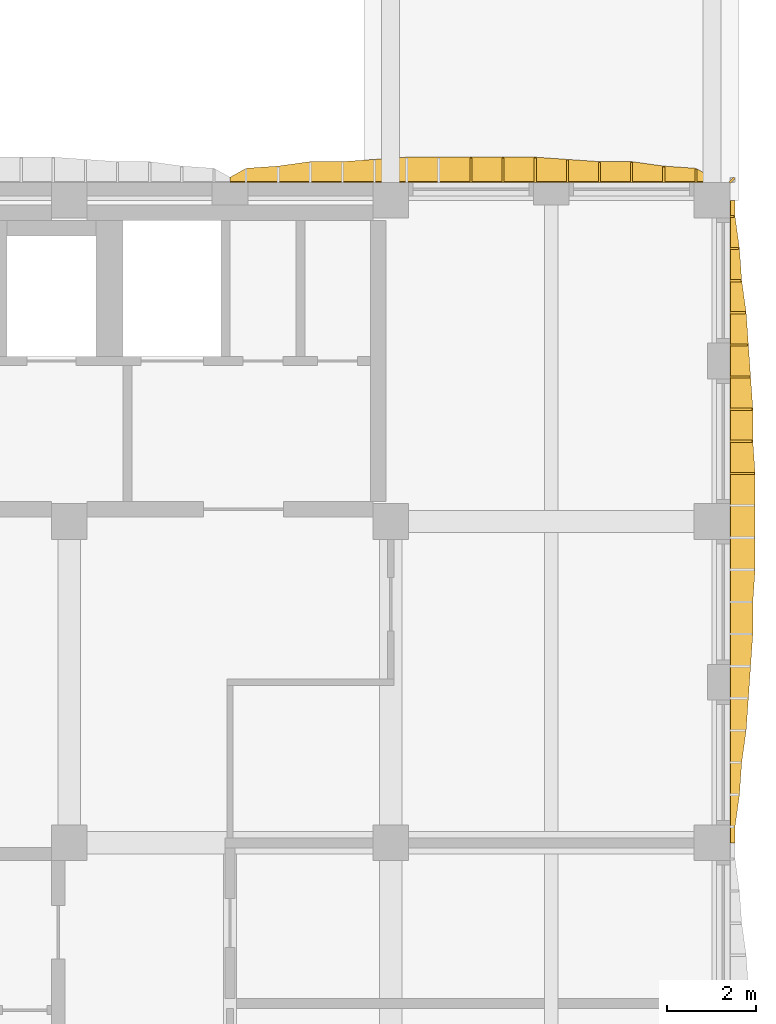
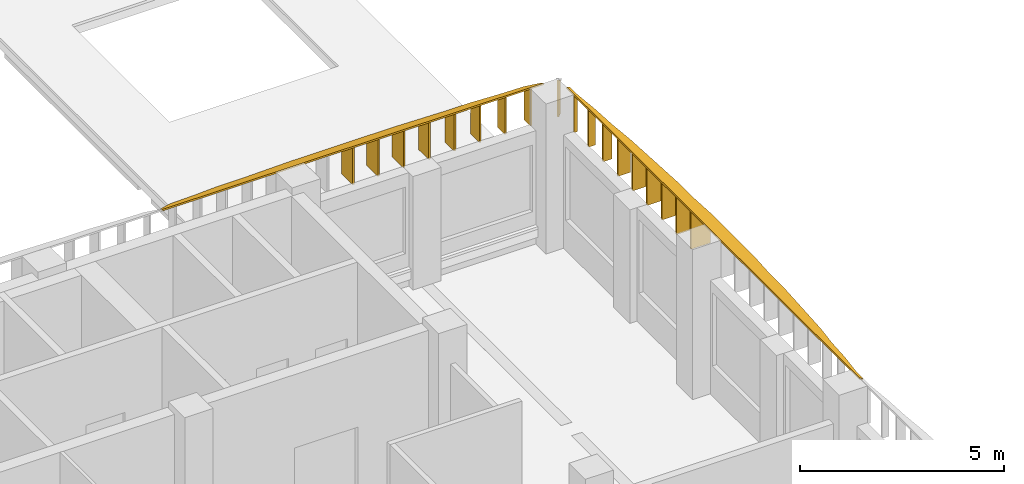
# One storey, part 42 of 59: 20 shading devices.
"""IFC4 building model written with IfcOpenShell, lengths in metres."""

from ifc_helpers import new_model, si_unit, direction, frame, origin, place, context, subcontext, project, spatial, polyline, outline, extrude, material, layer, layer_set, type_object, element, save


model = new_model("IFC4")

# Units and contexts
model_context = context("Model", 3, precision=1e-05, world=origin(), true_north=direction((0.0, 1.0)))
body_context = subcontext(model_context, "Body", "Model", "MODEL_VIEW")
ifc_project = project(units=[si_unit("LENGTHUNIT", "METRE"), si_unit("AREAUNIT", "SQUARE_METRE"), si_unit("VOLUMEUNIT", "CUBIC_METRE"), si_unit("PLANEANGLEUNIT", "RADIAN"), si_unit("MASSUNIT", "GRAM", prefix="KILO")], contexts=[model_context])

# Site, building, storey
site_placement = place(None, origin())
site = spatial("IfcSite", under=ifc_project, at=site_placement, CompositionType="ELEMENT")
building_placement = place(site_placement, origin())
building = spatial("IfcBuilding", under=site, at=building_placement, Name="Ussher Court Research Institute", CompositionType="ELEMENT")
storey_placement = place(building_placement, frame((0.0, 0.0, 5.39990234375)))
storey = spatial("IfcBuildingStorey", under=building, at=storey_placement, Name="L01", CompositionType="ELEMENT", Elevation=5.39990234375)

# Shading devices
ifc_material_1 = material(Name="Bronze anodised aluminium", Category="aluminium")
ifc_layer_1 = layer(ifc_material_1, 0.050048828125)
ifc_layer_set_1 = layer_set([ifc_layer_1], Name="Bronze anodised aluminium")
shading_device_type_1 = type_object("IfcShadingDeviceType", Name="Brim blade 100 mm deep 1100 mm high canted 26 deg wet", PredefinedType="USERDEFINED", material=ifc_layer_set_1)
shading_device_1_placement = place(storey_placement, frame((104.199951171875, 32.43994140625, 3.35009765625), z_axis=(0.0, 0.0, 1.0), x_axis=(1.0, 0.0, 0.0)))
element("IfcShadingDevice", 1, at=shading_device_1_placement, inside=storey, type_object=shading_device_type_1, Name="Brim blade BS10 L01", ObjectType="BLADE", PredefinedType="USERDEFINED", context=body_context, shape_type="SweptSolid", body=[
    extrude(outline(polyline([(0.0, 0.0), (0.10009765625, 0.0), (0.10009765625, 1.05126953125), (0.0, 1.10009765625), (0.0, 0.0)])), frame((0.0, 0.02490234375, 0.0), z_axis=(0.0, -1.0, 0.0), x_axis=(1.0, 0.0, 0.0)), (0.0, 0.0, 1.0), 0.050048828125),
])
ifc_material_2 = material(Name="Bronze anodised aluminium", Category="aluminium")
ifc_layer_2 = layer(ifc_material_2, 0.050048828125)
ifc_layer_set_2 = layer_set([ifc_layer_2], Name="Bronze anodised aluminium")
shading_device_type_2 = type_object("IfcShadingDeviceType", Name="Brim blade 200 mm deep 1100 mm high canted 26 deg wet", PredefinedType="USERDEFINED", material=ifc_layer_set_2)
shading_device_2_placement = place(storey_placement, frame((104.199951171875, 31.719970703125, 3.35009765625), z_axis=(0.0, 0.0, 1.0), x_axis=(1.0, 0.0, 0.0)))
element("IfcShadingDevice", 2, at=shading_device_2_placement, inside=storey, type_object=shading_device_type_2, Name="Brim blade BS08 L01", ObjectType="BLADE", PredefinedType="USERDEFINED", context=body_context, shape_type="SweptSolid", body=[
    extrude(outline(polyline([(0.0, 0.0), (0.199951171875, 0.0), (0.199951171875, 1.00244140625), (0.0, 1.10009765625), (0.0, 0.0)])), frame((0.0, 0.02490234375, 0.0), z_axis=(0.0, -1.0, 0.0), x_axis=(1.0, 0.0, 0.0)), (0.0, 0.0, 1.0), 0.050048828125),
])
ifc_material_3 = material(Name="Bronze anodised aluminium", Category="aluminium")
ifc_layer_3 = layer(ifc_material_3, 0.050048828125)
ifc_layer_set_3 = layer_set([ifc_layer_3], Name="Bronze anodised aluminium")
shading_device_type_3 = type_object("IfcShadingDeviceType", Name="Brim blade 250 mm deep 1100 mm high canted 26 deg wet", PredefinedType="USERDEFINED", material=ifc_layer_set_3)
shading_device_3_placement = place(storey_placement, frame((104.199951171875, 31.0, 3.35009765625), z_axis=(0.0, 0.0, 1.0), x_axis=(1.0, 0.0, 0.0)))
element("IfcShadingDevice", 3, at=shading_device_3_placement, inside=storey, type_object=shading_device_type_3, Name="Brim blade BS07 L01", ObjectType="BLADE", PredefinedType="USERDEFINED", context=body_context, shape_type="SweptSolid", body=[
    extrude(outline(polyline([(0.0, 0.0), (0.25, 0.0), (0.25, 0.97802734375), (0.0, 1.10009765625), (0.0, 0.0)])), frame((0.0, 0.02490234375, 0.0), z_axis=(0.0, -1.0, 0.0), x_axis=(1.0, 0.0, 0.0)), (0.0, 0.0, 1.0), 0.050048828125),
])
ifc_material_4 = material(Name="Bronze anodised aluminium", Category="aluminium")
ifc_layer_4 = layer(ifc_material_4, 0.050048828125)
ifc_layer_set_4 = layer_set([ifc_layer_4], Name="Bronze anodised aluminium")
shading_device_type_4 = type_object("IfcShadingDeviceType", Name="Brim blade 300 mm deep 1100 mm high canted 26 deg wet", PredefinedType="USERDEFINED", material=ifc_layer_set_4)
shading_device_4_placement = place(storey_placement, frame((103.43994140625, 33.199951171875, 3.35009765625), z_axis=(0.0, 0.0, 1.0), x_axis=(0.0, 1.0, 0.0)))
element("IfcShadingDevice", 4, at=shading_device_4_placement, inside=storey, type_object=shading_device_type_4, Name="Brim blade BS06 L01", ObjectType="BLADE", PredefinedType="USERDEFINED", context=body_context, shape_type="SweptSolid", body=[
    extrude(outline(polyline([(0.0, 0.0), (0.300048828125, 0.0), (0.300048828125, 0.95361328125), (0.0, 1.10009765625), (0.0, 0.0)])), frame((0.0, 0.02490234375, 0.0), z_axis=(0.0, -1.0, 0.0), x_axis=(1.0, 0.0, 0.0)), (0.0, 0.0, 1.0), 0.050048828125),
])
ifc_material_5 = material(Name="Bronze anodised aluminium", Category="aluminium")
ifc_layer_5 = layer(ifc_material_5, 0.050048828125)
ifc_layer_set_5 = layer_set([ifc_layer_5], Name="Bronze anodised aluminium")
shading_device_type_5 = type_object("IfcShadingDeviceType", Name="Brim blade 350 mm deep 1100 mm high canted 26 deg wet", PredefinedType="USERDEFINED", material=ifc_layer_set_5)
for number, where, z_axis, x_axis, name in (
    (5, (104.199951171875, 30.280029296875, 3.35009765625), (0.0, 0.0, 1.0), (1.0, 0.0, 0.0), "Brim blade BS05 L01"),
    (6, (102.719970703125, 33.199951171875, 3.35009765625), (0.0, 0.0, 1.0), (0.0, 1.0, 0.0), "Brim blade BS05 L01"),
):
    element("IfcShadingDevice", number, at=place(storey_placement, frame(where, z_axis=z_axis, x_axis=x_axis)), inside=storey, type_object=shading_device_type_5, Name=name, ObjectType="BLADE", PredefinedType="USERDEFINED", context=body_context, shape_type="SweptSolid", body=[
        extrude(outline(polyline([(0.0, 0.0), (0.35009765625, 0.0), (0.35009765625, 0.92919921875), (0.0, 1.10009765625), (0.0, 0.0)])), frame((0.0, 0.02490234375, 0.0), z_axis=(0.0, -1.0, 0.0), x_axis=(1.0, 0.0, 0.0)), (0.0, 0.0, 1.0), 0.050048828125),
    ])
ifc_material_6 = material(Name="Bronze anodised aluminium", Category="aluminium")
ifc_layer_6 = layer(ifc_material_6, 0.050048828125)
ifc_layer_set_6 = layer_set([ifc_layer_6], Name="Bronze anodised aluminium")
shading_device_type_6 = type_object("IfcShadingDeviceType", Name="Brim blade 400 mm deep 1100 mm high canted 26 deg wet", PredefinedType="USERDEFINED", material=ifc_layer_set_6)
shading_device_5_placement = place(storey_placement, frame((104.199951171875, 29.56005859375, 3.35009765625), z_axis=(0.0, 0.0, 1.0), x_axis=(1.0, 0.0, 0.0)))
element("IfcShadingDevice", 7, at=shading_device_5_placement, inside=storey, type_object=shading_device_type_6, Name="Brim blade BS04 L01", ObjectType="BLADE", PredefinedType="USERDEFINED", context=body_context, shape_type="SweptSolid", body=[
    extrude(outline(polyline([(0.0, 0.0), (0.400146484375, 0.0), (0.39990234375, 0.90478515625), (0.0, 1.10009765625), (0.0, 0.0)])), frame((0.0, 0.02490234375, 0.0), z_axis=(0.0, -1.0, 0.0), x_axis=(1.0, 0.0, 0.0)), (0.0, 0.0, 1.0), 0.050048828125),
])
ifc_material_7 = material(Name="Bronze anodised aluminium", Category="aluminium")
ifc_layer_7 = layer(ifc_material_7, 0.050048828125)
ifc_layer_set_7 = layer_set([ifc_layer_7], Name="Bronze anodised aluminium")
shading_device_type_7 = type_object("IfcShadingDeviceType", Name="Brim blade 450 mm deep 1100 mm high canted 26 deg wet", PredefinedType="USERDEFINED", material=ifc_layer_set_7)
for number, where, z_axis, x_axis, name in (
    (8, (104.199951171875, 28.840087890625, 3.35009765625), (0.0, 0.0, 1.0), (1.0, 0.0, 0.0), "Brim blade BS03 L01"),
    (9, (101.280029296875, 33.199951171875, 3.35009765625), (0.0, 0.0, 1.0), (0.0, 1.0, 0.0), "Brim blade BS03 L01"),
    (10, (102.0, 33.199951171875, 3.35009765625), (0.0, 0.0, 1.0), (0.0, 1.0, 0.0), "Brim blade BS03 L01"),
):
    element("IfcShadingDevice", number, at=place(storey_placement, frame(where, z_axis=z_axis, x_axis=x_axis)), inside=storey, type_object=shading_device_type_7, Name=name, ObjectType="BLADE", PredefinedType="USERDEFINED", context=body_context, shape_type="SweptSolid", body=[
        extrude(outline(polyline([(0.0, 0.0), (0.449951171875, 0.0), (0.449951171875, 0.880615234375), (0.0, 1.10009765625), (0.0, 0.0)])), frame((0.0, 0.02490234375, 0.0), z_axis=(0.0, -1.0, 0.0), x_axis=(1.0, 0.0, 0.0)), (0.0, 0.0, 1.0), 0.050048828125),
    ])
ifc_material_8 = material(Name="Bronze anodised aluminium", Category="aluminium")
ifc_layer_8 = layer(ifc_material_8, 0.050048828125)
ifc_layer_set_8 = layer_set([ifc_layer_8], Name="Bronze anodised aluminium")
shading_device_type_8 = type_object("IfcShadingDeviceType", Name="Brim blade 500 mm deep 1100 mm high canted 26 deg wet", PredefinedType="USERDEFINED", material=ifc_layer_set_8)
for number, where, z_axis, x_axis, name in (
    (11, (104.199951171875, 28.1201171875, 3.35009765625), (0.0, 0.0, 1.0), (1.0, 0.0, 0.0), "Brim blade BS02 L01"),
    (12, (104.199951171875, 27.39990234375, 3.35009765625), (0.0, 0.0, 1.0), (1.0, 0.0, 0.0), "Brim blade BS02 L01"),
    (13, (100.56005859375, 33.199951171875, 3.35009765625), (0.0, 0.0, 1.0), (0.0, 1.0, 0.0), "Brim blade BS02 L01"),
):
    element("IfcShadingDevice", number, at=place(storey_placement, frame(where, z_axis=z_axis, x_axis=x_axis)), inside=storey, type_object=shading_device_type_8, Name=name, ObjectType="BLADE", PredefinedType="USERDEFINED", context=body_context, shape_type="SweptSolid", body=[
        extrude(outline(polyline([(0.0, 0.0), (0.5, 0.0), (0.5, 0.856201171875), (0.0, 1.10009765625), (0.0, 0.0)])), frame((0.0, 0.02490234375, 0.0), z_axis=(0.0, -1.0, 0.0), x_axis=(1.0, 0.0, 0.0)), (0.0, 0.0, 1.0), 0.050048828125),
    ])
ifc_material_9 = material(Name="Bronze anodised aluminium", Category="aluminium")
ifc_layer_9 = layer(ifc_material_9, 0.050048828125)
ifc_layer_set_9 = layer_set([ifc_layer_9], Name="Bronze anodised aluminium")
shading_device_type_9 = type_object("IfcShadingDeviceType", Name="Brim blade 550 mm deep 1100 mm high canted 26 deg wet", PredefinedType="USERDEFINED", material=ifc_layer_set_9)
for number, where, z_axis, x_axis, name in (
    (14, (104.199951171875, 26.679931640625, 3.35009765625), (0.0, 0.0, 1.0), (1.0, 0.0, 0.0), "Brim blade BS01 L01"),
    (15, (98.39990234375, 33.199951171875, 3.35009765625), (0.0, 0.0, 1.0), (0.0, 1.0, 0.0), "Brim blade BS01 L01"),
    (16, (99.1201171875, 33.199951171875, 3.35009765625), (0.0, 0.0, 1.0), (0.0, 1.0, 0.0), "Brim blade BS01 L01"),
    (17, (99.840087890625, 33.199951171875, 3.35009765625), (0.0, 0.0, 1.0), (0.0, 1.0, 0.0), "Brim blade BS01 L01"),
):
    element("IfcShadingDevice", number, at=place(storey_placement, frame(where, z_axis=z_axis, x_axis=x_axis)), inside=storey, type_object=shading_device_type_9, Name=name, ObjectType="BLADE", PredefinedType="USERDEFINED", context=body_context, shape_type="SweptSolid", body=[
        extrude(outline(polyline([(0.0, 0.0), (0.550048828125, 0.0), (0.550048828125, 0.831787109375), (0.0, 1.10009765625), (0.0, 0.0)])), frame((0.0, 0.02490234375, 0.0), z_axis=(0.0, -1.0, 0.0), x_axis=(1.0, 0.0, 0.0)), (0.0, 0.0, 1.0), 0.050048828125),
    ])
ifc_material_10 = material(Name="Bronze anodised aluminium", Category="aluminium")
ifc_layer_10 = layer(ifc_material_10, 0.050048828125)
ifc_layer_set_10 = layer_set([ifc_layer_10], Name="Bronze anodised aluminium")
shading_device_type_10 = type_object("IfcShadingDeviceType", Name="Brim mitre blade 100 mm deep 1100 mm high canted 26 deg wet", PredefinedType="USERDEFINED", material=ifc_layer_set_10)
shading_device_6_placement = place(storey_placement, frame((104.199951171875, 33.199951171875, 3.35009765625), z_axis=(0.0, 0.0, 1.0), x_axis=(0.707106781187, 0.707106781187, 0.0)))
element("IfcShadingDevice", 18, at=shading_device_6_placement, inside=storey, type_object=shading_device_type_10, Name="Brim mitre blade BS18 L01", ObjectType="BLADE", PredefinedType="USERDEFINED", context=body_context, shape_type="SweptSolid", body=[
    extrude(outline(polyline([(0.0, 0.0), (0.1416015625, 0.0), (0.141357421875, 1.00244140625), (0.0, 1.10009765625), (0.0, 0.0)])), frame((0.0, 0.02490234375, 0.0), z_axis=(0.0, -1.0, 0.0), x_axis=(1.0, 0.0, 0.0)), (0.0, 0.0, 1.0), 0.050048828125),
])
ifc_material_11 = material(Name="Bronze anodised aluminium", Category="aluminium")
ifc_layer_11 = layer(ifc_material_11, 0.0400390625)
ifc_layer_set_11 = layer_set([ifc_layer_11], Name="Bronze anodised aluminium")
shading_device_type_11 = type_object("IfcShadingDeviceType", Name="Brim visor sheet 40 mm canted 26 deg wet", PredefinedType="USERDEFINED", material=ifc_layer_set_11)
shading_device_7_placement = place(storey_placement, frame((104.217529296875, 32.800048828125, 4.486083984375), z_axis=(0.438529184396, 0.0, 0.898716949007), x_axis=(0.0, -1.0, 0.0)))
element("IfcShadingDevice", 19, at=shading_device_7_placement, inside=storey, type_object=shading_device_type_11, Name="Brim visor sheet BR1 L01", ObjectType="BRIM", PredefinedType="USERDEFINED", context=body_context, shape_type="SweptSolid", body=[
    extrude(outline(polyline([(0.0, 0.0), (14.400146484375, 0.0), (14.400146484375, 0.11115260474198813), (14.0400390625, 0.11115260474198813), (13.320068359375, 0.22252462280160495), (12.60009765625, 0.27821063183141337), (11.880126953125, 0.3893632365734015), (11.16015625, 0.4449421828140506), (10.43994140625, 0.5006281918438591), (9.719970703125, 0.5563142008736675), (9.0, 0.5563142008736675), (8.280029296875, 0.6120002099034759), (7.56005859375, 0.6120002099034759), (6.840087890625, 0.6120002099034759), (6.1201171875, 0.6120002099034759), (5.400146484375, 0.5563142008736675), (4.679931640625, 0.5563142008736675), (3.9599609375, 0.5006281918438591), (3.239990234375, 0.4449421828140506), (2.52001953125, 0.3893632365734015), (1.800048828125, 0.27821063183141337), (1.080078125, 0.22252462280160495), (0.360107421875, 0.11115260474198813), (0.0, 0.11115260474198813), (0.0, 0.0)])), origin(), (0.0, 0.0, -1.0), 0.0400390625),
])
shading_device_8_placement = place(storey_placement, frame((93.0, 33.217529296875, 4.486083984375), z_axis=(0.0, 0.438493442835, 0.898734388232), x_axis=(1.0, 0.0, 0.0)))
element("IfcShadingDevice", 20, at=shading_device_8_placement, inside=storey, type_object=shading_device_type_11, Name="Brim visor sheet BR1 L01", ObjectType="BRIM", PredefinedType="USERDEFINED", context=body_context, shape_type="SweptSolid", body=[
    extrude(outline(polyline([(0.0, 0.0), (10.800048828125, 0.0), (10.800048828125, 0.11115260091647443), (10.43994140625, 0.3338966378999272), (9.719970703125, 0.3893632295705384), (9.0, 0.5006281939990725), (8.280029296875, 0.5006281939990725), (7.56005859375, 0.5563142032449357), (6.840087890625, 0.612000212490799), (6.1201171875, 0.612000212490799), (5.39990234375, 0.612000212490799), (4.679931640625, 0.612000212490799), (3.9599609375, 0.612000212490799), (3.239990234375, 0.5563142032449357), (2.52001953125, 0.5006281939990725), (1.800048828125, 0.5006281939990725), (1.080078125, 0.3893632295705384), (0.360107421875, 0.3338966378999272), (0.0, 0.11115260091647443), (0.0, 0.0)])), origin(), (0.0, 0.0, -1.0), 0.0400390625),
])

save(model, "model.ifc")
